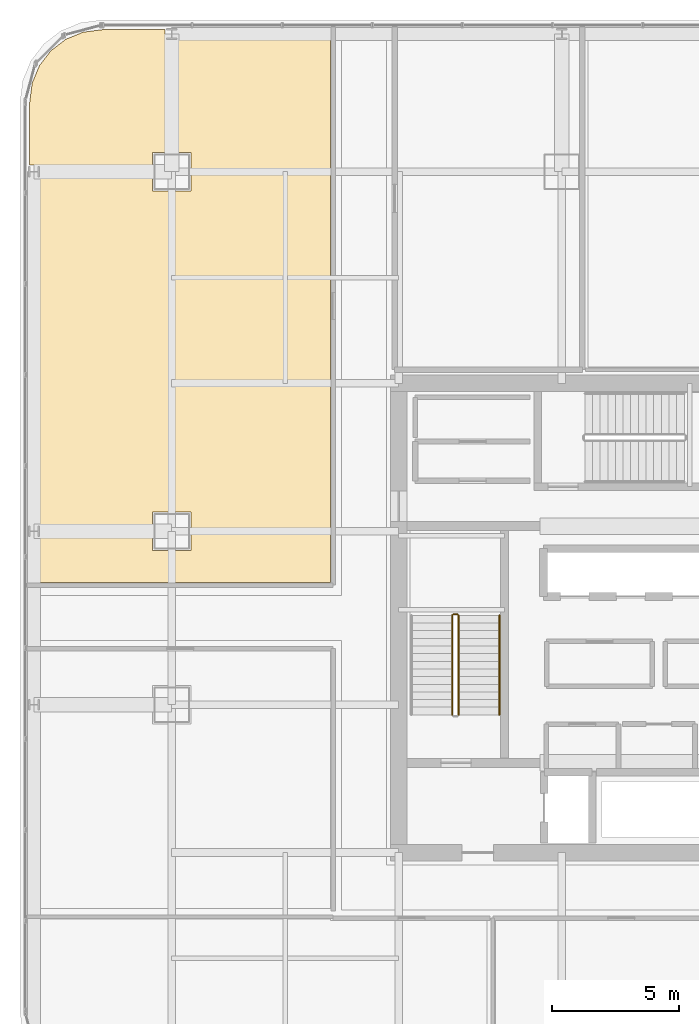
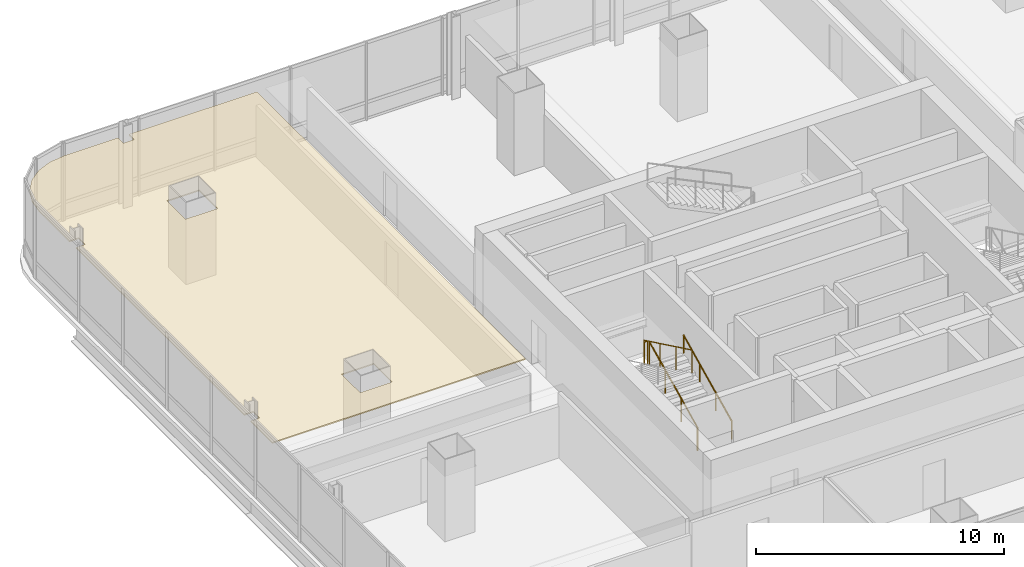
# One storey, part 34 of 37: 4 railings, 1 covering.
"""IFC4 building model written with IfcOpenShell, lengths in metres."""

from ifc_helpers import new_model, si_unit, direction, frame, origin, origin_2d, place, context, subcontext, project, spatial, polyline, circle, outline, extrude, material, layer, layer_set, type_object, element, save


model = new_model("IFC4")

# Units and contexts
model_context = context("Model", 3, precision=1e-05, world=origin(), true_north=direction((0.0, 1.0)))
body_context = subcontext(model_context, "Body", "Model", "MODEL_VIEW")
ifc_project = project(units=[si_unit("LENGTHUNIT", "METRE"), si_unit("AREAUNIT", "SQUARE_METRE"), si_unit("VOLUMEUNIT", "CUBIC_METRE"), si_unit("PLANEANGLEUNIT", "RADIAN"), si_unit("MASSUNIT", "GRAM", prefix="KILO")], contexts=[model_context])

# Site, building, storey
site_placement = place(None, origin())
site = spatial("IfcSite", under=ifc_project, at=site_placement, CompositionType="ELEMENT")
building_placement = place(site_placement, origin())
building = spatial("IfcBuilding", under=site, at=building_placement, Name="Punatoya Terracotta Tower", CompositionType="ELEMENT")
storey_placement = place(building_placement, frame((0.0, 0.0, 164.10009765625)))
storey = spatial("IfcBuildingStorey", under=building, at=storey_placement, Name="L38", CompositionType="ELEMENT", Elevation=164.10009765625)

# Covering
ifc_material_1 = material(Name="Acoustic Mineral Fibre Ceiling")
ifc_layer = layer(ifc_material_1, 0.06005859375)
ifc_layer_set = layer_set([ifc_layer], Name="Acoustic Mineral Fibre Ceiling")
covering_type = type_object("IfcCoveringType", Name="COV-CEIL-60", PredefinedType="CEILING", material=ifc_layer_set)
covering_placement = place(storey_placement, frame((0.0, 0.0, 3.219970703125)))
element("IfcCovering", 1, at=covering_placement, inside=storey, type_object=covering_type, Name="L38 Laboratory Staff Pantry Acoustic Ceiling", PredefinedType="CEILING", context=body_context, shape_type="SweptSolid", body=[
    extrude(outline(polyline([(-12.8701171875, 23.070068359375), (-18.845458984375, 23.070068359375), (-18.845458984375, 22.637451171875), (-19.3544921875, 22.637451171875), (-19.3544921875, 23.070068359375), (-21.8251953125, 23.070068359375), (-22.5791015625, 22.970703125), (-23.25830078125, 22.689453125), (-23.841796875, 22.24169921875), (-24.289306640625, 21.658203125), (-24.57080078125, 20.97900390625), (-24.669921875, 20.22509765625), (-24.669921875, 17.762451171875), (-24.24560546875, 17.762451171875), (-24.24560546875, 17.237548828125), (-24.669921875, 17.237548828125), (-24.669921875, 3.66259765625), (-24.24560546875, 3.66259765625), (-24.24560546875, 3.137451171875), (-24.669921875, 3.137451171875), (-24.669921875, 1.389892578125), (-12.8701171875, 1.389892578125), (-12.8701171875, 23.070068359375)]), holes=[polyline([(-19.85009765625, 18.25), (-18.35009765625, 18.25), (-18.35009765625, 16.75), (-19.85009765625, 16.75), (-19.85009765625, 18.25)]), polyline([(-18.35009765625, 4.14990234375), (-18.35009765625, 2.64990234375), (-19.85009765625, 2.64990234375), (-19.85009765625, 4.14990234375), (-18.35009765625, 4.14990234375)])]), origin(), (0.0, 0.0, 1.0), 0.059814453125),
])

# Railings
ifc_material_2 = material(Name="Steel S355", Category="steel")
railing_type_1 = type_object("IfcRailingType", Name="RLG-GRD-1150", PredefinedType="GUARDRAIL", material=ifc_material_2)
railing_1_placement = place(storey_placement, frame((-7.85009765625, -3.800048828125, 0.14453125)))
element("IfcRailing", 2, at=railing_1_placement, inside=storey, type_object=railing_type_1, Name="L38 ST-1 stair guard 1", PredefinedType="GUARDRAIL", context=body_context, shape_type="SweptSolid", body=[
    extrude(circle(Radius=0.02392578125, at=origin_2d()), frame((0.0, 0.0, 1.1259765625), z_axis=(0.0, 0.900773802044, 0.434288564841), x_axis=(-1.0, 0.0, 0.0)), (0.0, 0.0, 1.0), 4.329833984375),
    extrude(circle(Radius=0.02099609375, at=origin_2d()), origin(), (0.0, 0.0, 1.0), 1.101806640625),
    extrude(circle(Radius=0.02099609375, at=origin_2d()), frame((0.0, 1.300048828125, 0.626708984375)), (0.0, 0.0, 1.0), 1.101806640625),
    extrude(circle(Radius=0.02099609375, at=origin_2d()), frame((0.0, 2.60009765625, 1.253662109375)), (0.0, 0.0, 1.0), 1.101806640625),
    extrude(circle(Radius=0.02099609375, at=origin_2d()), frame((0.0, 3.900146484375, 1.88037109375)), (0.0, 0.0, 1.0), 1.101806640625),
])
railing_2_placement = place(storey_placement, frame((-7.89990234375, 0.14990234375, 2.02490234375)))
element("IfcRailing", 3, at=railing_2_placement, inside=storey, type_object=railing_type_1, Name="L38 ST-1 stair guard 2", PredefinedType="GUARDRAIL", context=body_context, shape_type="SweptSolid", body=[
    extrude(circle(Radius=0.02392578125, at=origin_2d()), frame((0.0, 0.0, 1.1259765625), z_axis=(-1.0, 0.0, 0.0), x_axis=(0.0, -1.0, 0.0)), (0.0, 0.0, 1.0), 0.150146484375),
    extrude(circle(Radius=0.02099609375, at=origin_2d()), origin(), (0.0, 0.0, 1.0), 1.101806640625),
    extrude(circle(Radius=0.02099609375, at=origin_2d()), frame((-0.150146484375, 0.0, 0.0)), (0.0, 0.0, 1.0), 1.101806640625),
])
railing_3_placement = place(storey_placement, frame((-8.10009765625, 0.10009765625, 2.16943359375)))
element("IfcRailing", 4, at=railing_3_placement, inside=storey, type_object=railing_type_1, Name="L38 ST-1 stair guard 3", PredefinedType="GUARDRAIL", context=body_context, shape_type="SweptSolid", body=[
    extrude(circle(Radius=0.02392578125, at=origin_2d()), frame((0.0, 0.0, 1.1259765625), z_axis=(0.0, -0.900773802044, 0.434288564841), x_axis=(1.0, 0.0, 0.0)), (0.0, 0.0, 1.0), 4.329833984375),
    extrude(circle(Radius=0.02099609375, at=origin_2d()), origin(), (0.0, 0.0, 1.0), 1.101806640625),
    extrude(circle(Radius=0.02099609375, at=origin_2d()), frame((0.0, -1.300048828125, 0.626708984375)), (0.0, 0.0, 1.0), 1.101806640625),
    extrude(circle(Radius=0.02099609375, at=origin_2d()), frame((0.0, -2.60009765625, 1.253662109375)), (0.0, 0.0, 1.0), 1.101806640625),
    extrude(circle(Radius=0.02099609375, at=origin_2d()), frame((0.0, -3.900146484375, 1.88037109375)), (0.0, 0.0, 1.0), 1.101806640625),
])
railing_type_2 = type_object("IfcRailingType", Name="RLG-HND-900", PredefinedType="HANDRAIL", material=ifc_material_2)
railing_4_placement = place(storey_placement, frame((-6.25, -3.800048828125, 0.14453125)))
element("IfcRailing", 5, at=railing_4_placement, inside=storey, type_object=railing_type_2, Name="L38 ST-1 stair handrail 1", PredefinedType="HANDRAIL", context=body_context, shape_type="SweptSolid", body=[
    extrude(circle(Radius=0.02392578125, at=origin_2d()), frame((0.0, 0.0, 0.8759765625), z_axis=(0.0, 0.900773802044, 0.434288564841), x_axis=(-1.0, 0.0, 0.0)), (0.0, 0.0, 1.0), 4.329833984375),
    extrude(circle(Radius=0.02099609375, at=origin_2d()), origin(), (0.0, 0.0, 1.0), 0.851806640625),
    extrude(circle(Radius=0.02099609375, at=origin_2d()), frame((0.0, 1.300048828125, 0.626708984375)), (0.0, 0.0, 1.0), 0.851806640625),
    extrude(circle(Radius=0.02099609375, at=origin_2d()), frame((0.0, 2.60009765625, 1.253662109375)), (0.0, 0.0, 1.0), 0.851806640625),
    extrude(circle(Radius=0.02099609375, at=origin_2d()), frame((0.0, 3.900146484375, 1.88037109375)), (0.0, 0.0, 1.0), 0.851806640625),
])

save(model, "model.ifc")
